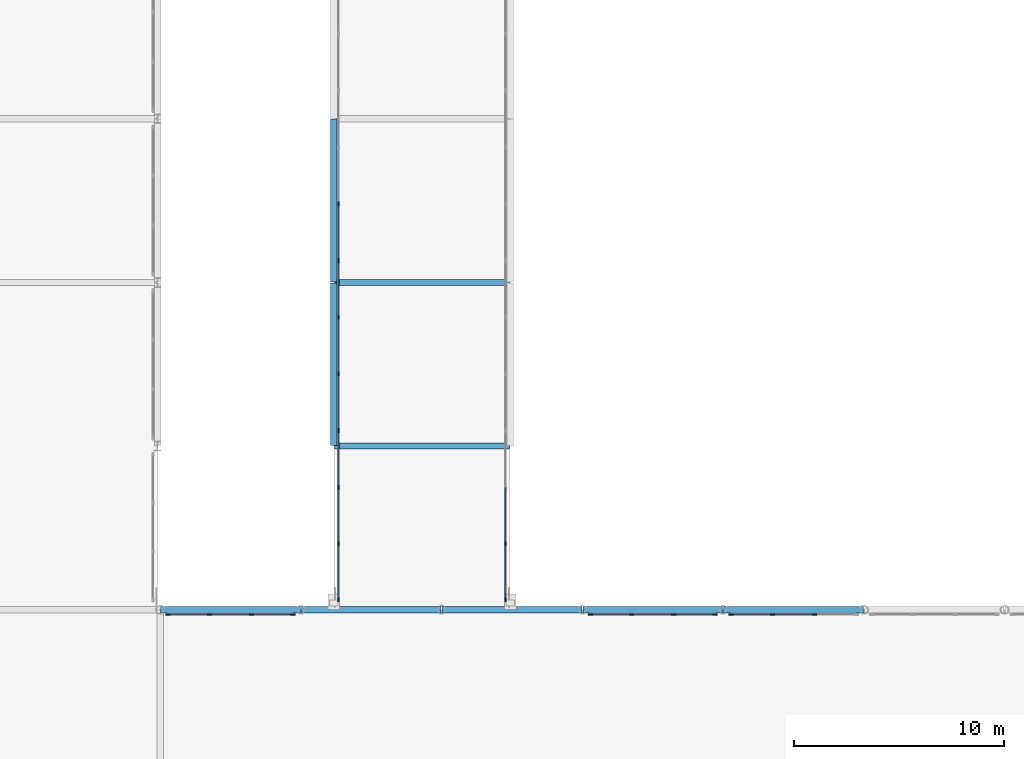
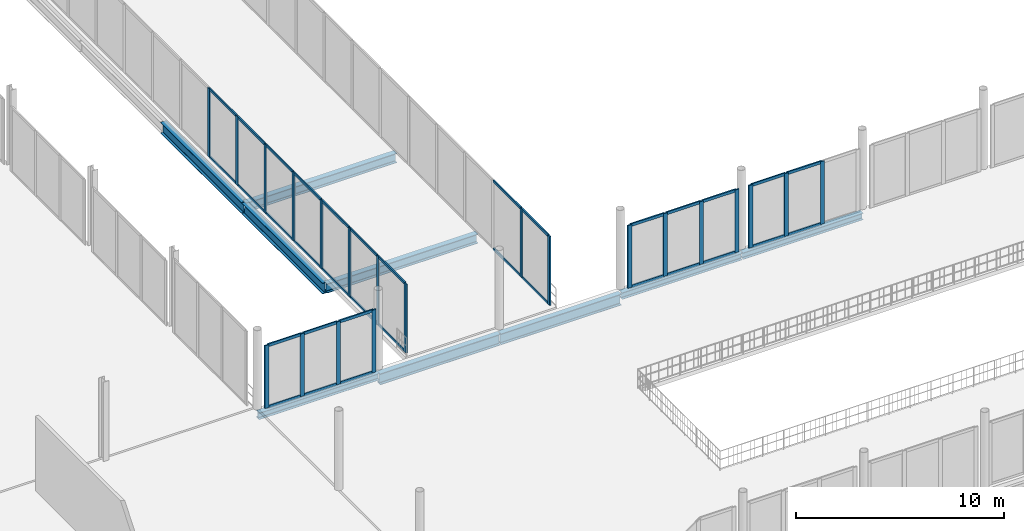
# One storey, part 30 of 98: 55 members, 9 beams, 5 elements without a shape of their own.
"""IFC4 building model written with IfcOpenShell, lengths in metres."""

from ifc_helpers import new_model, si_unit, direction, frame, origin, origin_2d, place, context, subcontext, project, spatial, rectangle, i_section, extrude, material, material_profile, profile_set, type_object, element, aggregate, save


model = new_model("IFC4")

# Units and contexts
model_context = context("Model", 3, precision=1e-05, world=origin(), true_north=direction((0.0, 1.0)))
body_context = subcontext(model_context, "Body", "Model", "MODEL_VIEW")
ifc_project = project(units=[si_unit("LENGTHUNIT", "METRE"), si_unit("AREAUNIT", "SQUARE_METRE"), si_unit("VOLUMEUNIT", "CUBIC_METRE"), si_unit("PLANEANGLEUNIT", "RADIAN"), si_unit("MASSUNIT", "GRAM", prefix="KILO")], contexts=[model_context])

# Site, building, storey
site_placement = place(None, origin())
site = spatial("IfcSite", under=ifc_project, at=site_placement, CompositionType="ELEMENT")
building_placement = place(site_placement, origin())
building = spatial("IfcBuilding", under=site, at=building_placement, Name="Nabrawat Pavilion Hospital", CompositionType="ELEMENT")
storey_placement = place(building_placement, frame((0.0, 0.0, 10.199951171875)))
storey = spatial("IfcBuildingStorey", under=building, at=storey_placement, Name="L02", CompositionType="ELEMENT", Elevation=10.199951171875)

# Beams
ifc_material_1 = material(Name="Steel S355", Category="steel")
ifc_material_profile_1 = material_profile(ifc_material_1, i_section(OverallWidth=0.300048828125, OverallDepth=0.64990234375, WebThickness=0.01611328125, FlangeThickness=0.031005859375, FilletRadius=0.027099609375, at=origin_2d()), Name="HEB 650")
ifc_profile_set_1 = profile_set([ifc_material_profile_1], Name="Steel S355")
beam_type_1 = type_object("IfcBeamType", Name="Courtyard Link Bridge Edge Girder HEB 650", PredefinedType="USERDEFINED", material=ifc_profile_set_1)
for number, where, z_axis, x_axis, name in (
    (1, (65.64794921875, 39.0, -0.614990234375), (1.0, 0.0, 0.0), (0.0, 1.0, 0.0), "L02 Courtyard Link Bridge Girder 997"),
    (2, (72.35595703125, 39.0, -0.614990234375), (1.0, 0.0, 0.0), (0.0, 1.0, 0.0), "L02 Courtyard Link Bridge Girder 998"),
):
    element("IfcBeam", number, at=place(storey_placement, frame(where, z_axis=z_axis, x_axis=x_axis)), inside=storey, type_object=beam_type_1, Name=name, ObjectType="GIRDER", PredefinedType="USERDEFINED", context=body_context, shape_type="SweptSolid", body=[
        extrude(i_section(OverallWidth=0.300048828125, OverallDepth=0.64990234375, WebThickness=0.01611328125, FlangeThickness=0.031005859375, FilletRadius=0.027099609375, at=origin_2d()), origin(), (0.0, 0.0, 1.0), 6.66796875),
    ])
beam_1_placement = place(storey_placement, frame((67.199951171875, 46.820068359375, -0.614990234375), z_axis=(0.0, 1.0, 0.0), x_axis=(-1.0, 0.0, 0.0)))
element("IfcBeam", 3, at=beam_1_placement, inside=storey, type_object=beam_type_1, Name="L02 Courtyard Link Bridge Edge Girder 1238", ObjectType="GIRDER", PredefinedType="USERDEFINED", context=body_context, shape_type="SweptSolid", body=[
    extrude(i_section(OverallWidth=0.300048828125, OverallDepth=0.64990234375, WebThickness=0.01611328125, FlangeThickness=0.031005859375, FilletRadius=0.027099609375, at=origin_2d()), origin(), (0.0, 0.0, 1.0), 7.760009765625),
])
beam_2_placement = place(storey_placement, frame((67.199951171875, 54.6201171875, -0.614990234375), z_axis=(0.0, 1.0, 0.0), x_axis=(-1.0, 0.0, 0.0)))
element("IfcBeam", 4, at=beam_2_placement, inside=storey, type_object=beam_type_1, Name="L02 Courtyard Link Bridge Edge Girder 1239", ObjectType="GIRDER", PredefinedType="USERDEFINED", context=body_context, shape_type="SweptSolid", body=[
    extrude(i_section(OverallWidth=0.300048828125, OverallDepth=0.64990234375, WebThickness=0.01611328125, FlangeThickness=0.031005859375, FilletRadius=0.027099609375, at=origin_2d()), origin(), (0.0, 0.0, 1.0), 7.759765625),
])

# Curtain wall, members
ifc_material_2 = material(Name="Anodised Aluminium", Category="aluminium")
curtain_wall_type_1 = type_object("IfcCurtainWallType", Name="Courtyard Link Bridge Glazed Curtain Wall", PredefinedType="USERDEFINED", material=ifc_material_2)
curtain_wall_1_placement = place(storey_placement, origin())
curtain_wall_1 = element("IfcCurtainWall", 5, at=curtain_wall_1_placement, inside=storey, type_object=curtain_wall_type_1, Name="L02 Courtyard Link Bridge Glazed Curtain Wall 117", ObjectType="CURTAIN WALL", PredefinedType="USERDEFINED")
ifc_material_profile_2 = material_profile(ifc_material_2, rectangle(XDim=0.070068359375, YDim=0.199951171875, at=origin_2d()), Name="CWM 70x200")
ifc_profile_set_2 = profile_set([ifc_material_profile_2], Name="Anodised Aluminium")
member_type_1 = type_object("IfcMemberType", Name="Courtyard Link Bridge Glazed Curtain Wall Mullion CWM 70x200", PredefinedType="MULLION", material=ifc_profile_set_2)
member_1_placement = place(storey_placement, frame((67.419921875, 39.47509765625, 0.0), z_axis=(0.0, 0.0, 1.0), x_axis=(-1.0, 0.0, 0.0)))
member_1 = element("IfcMember", 6, at=member_1_placement, type_object=member_type_1, Name="CW-BRG-01 mullion 1", PredefinedType="MULLION", context=body_context, shape_type="SweptSolid", body=[
    extrude(rectangle(XDim=0.070068359375, YDim=0.199951171875, at=origin_2d()), origin(), (0.0, 0.0, 1.0), 4.0400390625),
])
member_2_placement = place(storey_placement, frame((67.419921875, 42.14111328125, 0.0), z_axis=(0.0, 0.0, 1.0), x_axis=(-1.0, 0.0, 0.0)))
member_2 = element("IfcMember", 7, at=member_2_placement, type_object=member_type_1, Name="CW-BRG-01 mullion 2", PredefinedType="MULLION", context=body_context, shape_type="SweptSolid", body=[
    extrude(rectangle(XDim=0.070068359375, YDim=0.199951171875, at=origin_2d()), origin(), (0.0, 0.0, 1.0), 4.0400390625),
])
member_3_placement = place(storey_placement, frame((67.419921875, 44.84228515625, 0.0), z_axis=(0.0, 0.0, 1.0), x_axis=(-1.0, 0.0, 0.0)))
member_3 = element("IfcMember", 8, at=member_3_placement, type_object=member_type_1, Name="CW-BRG-01 mullion 3", PredefinedType="MULLION", context=body_context, shape_type="SweptSolid", body=[
    extrude(rectangle(XDim=0.070068359375, YDim=0.199951171875, at=origin_2d()), origin(), (0.0, 0.0, 1.0), 4.0400390625),
])
member_4_placement = place(storey_placement, frame((67.419921875, 47.54345703125, 0.0), z_axis=(0.0, 0.0, 1.0), x_axis=(-1.0, 0.0, 0.0)))
member_4 = element("IfcMember", 9, at=member_4_placement, type_object=member_type_1, Name="CW-BRG-01 mullion 4", PredefinedType="MULLION", context=body_context, shape_type="SweptSolid", body=[
    extrude(rectangle(XDim=0.070068359375, YDim=0.199951171875, at=origin_2d()), origin(), (0.0, 0.0, 1.0), 4.0400390625),
])
member_5_placement = place(storey_placement, frame((67.419921875, 50.24462890625, 0.0), z_axis=(0.0, 0.0, 1.0), x_axis=(-1.0, 0.0, 0.0)))
member_5 = element("IfcMember", 10, at=member_5_placement, type_object=member_type_1, Name="CW-BRG-01 mullion 5", PredefinedType="MULLION", context=body_context, shape_type="SweptSolid", body=[
    extrude(rectangle(XDim=0.070068359375, YDim=0.199951171875, at=origin_2d()), origin(), (0.0, 0.0, 1.0), 4.0400390625),
])
member_6_placement = place(storey_placement, frame((67.419921875, 52.94580078125, 0.0), z_axis=(0.0, 0.0, 1.0), x_axis=(-1.0, 0.0, 0.0)))
member_6 = element("IfcMember", 11, at=member_6_placement, type_object=member_type_1, Name="CW-BRG-01 mullion 6", PredefinedType="MULLION", context=body_context, shape_type="SweptSolid", body=[
    extrude(rectangle(XDim=0.070068359375, YDim=0.199951171875, at=origin_2d()), origin(), (0.0, 0.0, 1.0), 4.0400390625),
])
member_7_placement = place(storey_placement, frame((67.419921875, 55.64697265625, 0.0), z_axis=(0.0, 0.0, 1.0), x_axis=(-1.0, 0.0, 0.0)))
member_7 = element("IfcMember", 12, at=member_7_placement, type_object=member_type_1, Name="CW-BRG-01 mullion 7", PredefinedType="MULLION", context=body_context, shape_type="SweptSolid", body=[
    extrude(rectangle(XDim=0.070068359375, YDim=0.199951171875, at=origin_2d()), origin(), (0.0, 0.0, 1.0), 4.0400390625),
])
member_8_placement = place(storey_placement, frame((67.419921875, 58.34814453125, 0.0), z_axis=(0.0, 0.0, 1.0), x_axis=(-1.0, 0.0, 0.0)))
member_8 = element("IfcMember", 13, at=member_8_placement, type_object=member_type_1, Name="CW-BRG-01 mullion 8", PredefinedType="MULLION", context=body_context, shape_type="SweptSolid", body=[
    extrude(rectangle(XDim=0.070068359375, YDim=0.199951171875, at=origin_2d()), origin(), (0.0, 0.0, 1.0), 4.0400390625),
])

curtain_wall_2_placement = place(storey_placement, origin())
curtain_wall_2 = element("IfcCurtainWall", 14, at=curtain_wall_2_placement, inside=storey, type_object=curtain_wall_type_1, Name="L02 Courtyard Link Bridge Glazed Curtain Wall 118", ObjectType="CURTAIN WALL", PredefinedType="USERDEFINED")
member_9_placement = place(storey_placement, frame((75.3798828125, 39.47509765625, 0.0), z_axis=(0.0, 0.0, 1.0), x_axis=(-1.0, 0.0, 0.0)))
member_9 = element("IfcMember", 15, at=member_9_placement, type_object=member_type_1, Name="CW-BRG-01 mullion 1", PredefinedType="MULLION", context=body_context, shape_type="SweptSolid", body=[
    extrude(rectangle(XDim=0.070068359375, YDim=0.199951171875, at=origin_2d()), origin(), (0.0, 0.0, 1.0), 4.0400390625),
])
member_10_placement = place(storey_placement, frame((75.3798828125, 42.14111328125, 0.0), z_axis=(0.0, 0.0, 1.0), x_axis=(-1.0, 0.0, 0.0)))
member_10 = element("IfcMember", 16, at=member_10_placement, type_object=member_type_1, Name="CW-BRG-01 mullion 2", PredefinedType="MULLION", context=body_context, shape_type="SweptSolid", body=[
    extrude(rectangle(XDim=0.070068359375, YDim=0.199951171875, at=origin_2d()), origin(), (0.0, 0.0, 1.0), 4.0400390625),
])

# Member
ifc_material_profile_3 = material_profile(ifc_material_2, rectangle(XDim=0.070068359375, YDim=0.14990234375, at=origin_2d()), Name="CWT 70x150")
ifc_profile_set_3 = profile_set([ifc_material_profile_3], Name="Anodised Aluminium")
member_type_2 = type_object("IfcMemberType", Name="Courtyard Link Bridge Glazed Curtain Wall Transom CWT 70x150", PredefinedType="USERDEFINED", material=ifc_profile_set_3)
member_11_placement = place(storey_placement, frame((67.419921875, 39.510009765625, 0.03515625), z_axis=(0.0, 1.0, 0.0), x_axis=(-1.0, 0.0, 0.0)))
member_11 = element("IfcMember", 17, at=member_11_placement, type_object=member_type_2, Name="CW-BRG-01 transom 1.1", ObjectType="TRANSOM", PredefinedType="USERDEFINED", context=body_context, shape_type="SweptSolid", body=[
    extrude(rectangle(XDim=0.070068359375, YDim=0.14990234375, at=origin_2d()), origin(), (0.0, 0.0, 1.0), 2.59619140625),
])

member_12_placement = place(storey_placement, frame((67.419921875, 39.510009765625, 4.005126953125), z_axis=(0.0, 1.0, 0.0), x_axis=(-1.0, 0.0, 0.0)))
member_12 = element("IfcMember", 18, at=member_12_placement, type_object=member_type_2, Name="CW-BRG-01 transom 1.2", ObjectType="TRANSOM", PredefinedType="USERDEFINED", context=body_context, shape_type="SweptSolid", body=[
    extrude(rectangle(XDim=0.070068359375, YDim=0.14990234375, at=origin_2d()), origin(), (0.0, 0.0, 1.0), 2.59619140625),
])

member_13_placement = place(storey_placement, frame((67.419921875, 42.17626953125, 0.03515625), z_axis=(0.0, 1.0, 0.0), x_axis=(-1.0, 0.0, 0.0)))
member_13 = element("IfcMember", 19, at=member_13_placement, type_object=member_type_2, Name="CW-BRG-01 transom 2.1", ObjectType="TRANSOM", PredefinedType="USERDEFINED", context=body_context, shape_type="SweptSolid", body=[
    extrude(rectangle(XDim=0.070068359375, YDim=0.14990234375, at=origin_2d()), origin(), (0.0, 0.0, 1.0), 2.631103515625),
])

member_14_placement = place(storey_placement, frame((67.419921875, 42.17626953125, 4.005126953125), z_axis=(0.0, 1.0, 0.0), x_axis=(-1.0, 0.0, 0.0)))
member_14 = element("IfcMember", 20, at=member_14_placement, type_object=member_type_2, Name="CW-BRG-01 transom 2.2", ObjectType="TRANSOM", PredefinedType="USERDEFINED", context=body_context, shape_type="SweptSolid", body=[
    extrude(rectangle(XDim=0.070068359375, YDim=0.14990234375, at=origin_2d()), origin(), (0.0, 0.0, 1.0), 2.631103515625),
])

member_15_placement = place(storey_placement, frame((67.419921875, 44.87744140625, 0.03515625), z_axis=(0.0, 1.0, 0.0), x_axis=(-1.0, 0.0, 0.0)))
member_15 = element("IfcMember", 21, at=member_15_placement, type_object=member_type_2, Name="CW-BRG-01 transom 3.1", ObjectType="TRANSOM", PredefinedType="USERDEFINED", context=body_context, shape_type="SweptSolid", body=[
    extrude(rectangle(XDim=0.070068359375, YDim=0.14990234375, at=origin_2d()), origin(), (0.0, 0.0, 1.0), 2.631103515625),
])

member_16_placement = place(storey_placement, frame((67.419921875, 44.87744140625, 4.005126953125), z_axis=(0.0, 1.0, 0.0), x_axis=(-1.0, 0.0, 0.0)))
member_16 = element("IfcMember", 22, at=member_16_placement, type_object=member_type_2, Name="CW-BRG-01 transom 3.2", ObjectType="TRANSOM", PredefinedType="USERDEFINED", context=body_context, shape_type="SweptSolid", body=[
    extrude(rectangle(XDim=0.070068359375, YDim=0.14990234375, at=origin_2d()), origin(), (0.0, 0.0, 1.0), 2.631103515625),
])

member_17_placement = place(storey_placement, frame((67.419921875, 47.57861328125, 0.03515625), z_axis=(0.0, 1.0, 0.0), x_axis=(-1.0, 0.0, 0.0)))
member_17 = element("IfcMember", 23, at=member_17_placement, type_object=member_type_2, Name="CW-BRG-01 transom 4.1", ObjectType="TRANSOM", PredefinedType="USERDEFINED", context=body_context, shape_type="SweptSolid", body=[
    extrude(rectangle(XDim=0.070068359375, YDim=0.14990234375, at=origin_2d()), origin(), (0.0, 0.0, 1.0), 2.631103515625),
])

member_18_placement = place(storey_placement, frame((67.419921875, 47.57861328125, 4.005126953125), z_axis=(0.0, 1.0, 0.0), x_axis=(-1.0, 0.0, 0.0)))
member_18 = element("IfcMember", 24, at=member_18_placement, type_object=member_type_2, Name="CW-BRG-01 transom 4.2", ObjectType="TRANSOM", PredefinedType="USERDEFINED", context=body_context, shape_type="SweptSolid", body=[
    extrude(rectangle(XDim=0.070068359375, YDim=0.14990234375, at=origin_2d()), origin(), (0.0, 0.0, 1.0), 2.631103515625),
])

member_19_placement = place(storey_placement, frame((67.419921875, 50.27978515625, 0.03515625), z_axis=(0.0, 1.0, 0.0), x_axis=(-1.0, 0.0, 0.0)))
member_19 = element("IfcMember", 25, at=member_19_placement, type_object=member_type_2, Name="CW-BRG-01 transom 5.1", ObjectType="TRANSOM", PredefinedType="USERDEFINED", context=body_context, shape_type="SweptSolid", body=[
    extrude(rectangle(XDim=0.070068359375, YDim=0.14990234375, at=origin_2d()), origin(), (0.0, 0.0, 1.0), 2.631103515625),
])

member_20_placement = place(storey_placement, frame((67.419921875, 50.27978515625, 4.005126953125), z_axis=(0.0, 1.0, 0.0), x_axis=(-1.0, 0.0, 0.0)))
member_20 = element("IfcMember", 26, at=member_20_placement, type_object=member_type_2, Name="CW-BRG-01 transom 5.2", ObjectType="TRANSOM", PredefinedType="USERDEFINED", context=body_context, shape_type="SweptSolid", body=[
    extrude(rectangle(XDim=0.070068359375, YDim=0.14990234375, at=origin_2d()), origin(), (0.0, 0.0, 1.0), 2.631103515625),
])

member_21_placement = place(storey_placement, frame((67.419921875, 52.98095703125, 0.03515625), z_axis=(0.0, 1.0, 0.0), x_axis=(-1.0, 0.0, 0.0)))
member_21 = element("IfcMember", 27, at=member_21_placement, type_object=member_type_2, Name="CW-BRG-01 transom 6.1", ObjectType="TRANSOM", PredefinedType="USERDEFINED", context=body_context, shape_type="SweptSolid", body=[
    extrude(rectangle(XDim=0.070068359375, YDim=0.14990234375, at=origin_2d()), origin(), (0.0, 0.0, 1.0), 2.631103515625),
])

member_22_placement = place(storey_placement, frame((67.419921875, 52.98095703125, 4.005126953125), z_axis=(0.0, 1.0, 0.0), x_axis=(-1.0, 0.0, 0.0)))
member_22 = element("IfcMember", 28, at=member_22_placement, type_object=member_type_2, Name="CW-BRG-01 transom 6.2", ObjectType="TRANSOM", PredefinedType="USERDEFINED", context=body_context, shape_type="SweptSolid", body=[
    extrude(rectangle(XDim=0.070068359375, YDim=0.14990234375, at=origin_2d()), origin(), (0.0, 0.0, 1.0), 2.631103515625),
])

member_23_placement = place(storey_placement, frame((67.419921875, 55.68212890625, 0.03515625), z_axis=(0.0, 1.0, 0.0), x_axis=(-1.0, 0.0, 0.0)))
member_23 = element("IfcMember", 29, at=member_23_placement, type_object=member_type_2, Name="CW-BRG-01 transom 7.1", ObjectType="TRANSOM", PredefinedType="USERDEFINED", context=body_context, shape_type="SweptSolid", body=[
    extrude(rectangle(XDim=0.070068359375, YDim=0.14990234375, at=origin_2d()), origin(), (0.0, 0.0, 1.0), 2.631103515625),
])

member_24_placement = place(storey_placement, frame((67.419921875, 55.68212890625, 4.005126953125), z_axis=(0.0, 1.0, 0.0), x_axis=(-1.0, 0.0, 0.0)))
member_24 = element("IfcMember", 30, at=member_24_placement, type_object=member_type_2, Name="CW-BRG-01 transom 7.2", ObjectType="TRANSOM", PredefinedType="USERDEFINED", context=body_context, shape_type="SweptSolid", body=[
    extrude(rectangle(XDim=0.070068359375, YDim=0.14990234375, at=origin_2d()), origin(), (0.0, 0.0, 1.0), 2.631103515625),
])

aggregate(curtain_wall_1, [member_1, member_2, member_3, member_4, member_5, member_6, member_7, member_8, member_11, member_12, member_13, member_14, member_15, member_16, member_17, member_18, member_19, member_20, member_21, member_22, member_23, member_24])

member_25_placement = place(storey_placement, frame((75.3798828125, 39.510009765625, 0.03515625), z_axis=(0.0, 1.0, 0.0), x_axis=(-1.0, 0.0, 0.0)))
member_25 = element("IfcMember", 31, at=member_25_placement, type_object=member_type_2, Name="CW-BRG-01 transom 1.1", ObjectType="TRANSOM", PredefinedType="USERDEFINED", context=body_context, shape_type="SweptSolid", body=[
    extrude(rectangle(XDim=0.070068359375, YDim=0.14990234375, at=origin_2d()), origin(), (0.0, 0.0, 1.0), 2.59619140625),
])

member_26_placement = place(storey_placement, frame((75.3798828125, 39.510009765625, 4.005126953125), z_axis=(0.0, 1.0, 0.0), x_axis=(-1.0, 0.0, 0.0)))
member_26 = element("IfcMember", 32, at=member_26_placement, type_object=member_type_2, Name="CW-BRG-01 transom 1.2", ObjectType="TRANSOM", PredefinedType="USERDEFINED", context=body_context, shape_type="SweptSolid", body=[
    extrude(rectangle(XDim=0.070068359375, YDim=0.14990234375, at=origin_2d()), origin(), (0.0, 0.0, 1.0), 2.59619140625),
])

member_27_placement = place(storey_placement, frame((75.3798828125, 42.17626953125, 0.03515625), z_axis=(0.0, 1.0, 0.0), x_axis=(-1.0, 0.0, 0.0)))
member_27 = element("IfcMember", 33, at=member_27_placement, type_object=member_type_2, Name="CW-BRG-01 transom 2.1", ObjectType="TRANSOM", PredefinedType="USERDEFINED", context=body_context, shape_type="SweptSolid", body=[
    extrude(rectangle(XDim=0.070068359375, YDim=0.14990234375, at=origin_2d()), origin(), (0.0, 0.0, 1.0), 2.631103515625),
])

member_28_placement = place(storey_placement, frame((75.3798828125, 42.17626953125, 4.005126953125), z_axis=(0.0, 1.0, 0.0), x_axis=(-1.0, 0.0, 0.0)))
member_28 = element("IfcMember", 34, at=member_28_placement, type_object=member_type_2, Name="CW-BRG-01 transom 2.2", ObjectType="TRANSOM", PredefinedType="USERDEFINED", context=body_context, shape_type="SweptSolid", body=[
    extrude(rectangle(XDim=0.070068359375, YDim=0.14990234375, at=origin_2d()), origin(), (0.0, 0.0, 1.0), 2.631103515625),
])

aggregate(curtain_wall_2, [member_9, member_10, member_25, member_26, member_27, member_28])

# Curtain wall, members
curtain_wall_type_2 = type_object("IfcCurtainWallType", Name="Main Hall Pavilion Unitised Curtain Wall", PredefinedType="USERDEFINED", material=ifc_material_2)
curtain_wall_3_placement = place(storey_placement, origin())
curtain_wall_3 = element("IfcCurtainWall", 35, at=curtain_wall_3_placement, inside=storey, type_object=curtain_wall_type_2, Name="L02 Main Hall Pavilion Unitised Curtain Wall 114", ObjectType="CURTAIN WALL", PredefinedType="USERDEFINED")
ifc_material_profile_4 = material_profile(ifc_material_2, rectangle(XDim=0.074951171875, YDim=0.219970703125, at=origin_2d()), Name="CWM 75x220")
ifc_profile_set_4 = profile_set([ifc_material_profile_4], Name="Anodised Aluminium")
member_type_3 = type_object("IfcMemberType", Name="Main Hall Pavilion Unitised Curtain Wall Mullion CWM 75x220", PredefinedType="MULLION", material=ifc_profile_set_4)
member_29_placement = place(storey_placement, frame((59.30078125, 38.780029296875, 0.0), z_axis=(0.0, 0.0, 1.0), x_axis=(0.0, 1.0, 0.0)))
member_29 = element("IfcMember", 36, at=member_29_placement, type_object=member_type_3, Name="CW-MH-01 mullion 1", PredefinedType="MULLION", context=body_context, shape_type="SweptSolid", body=[
    extrude(rectangle(XDim=0.074951171875, YDim=0.219970703125, at=origin_2d()), origin(), (0.0, 0.0, 1.0), 3.679931640625),
])
member_30_placement = place(storey_placement, frame((61.2705078125, 38.780029296875, 0.0), z_axis=(0.0, 0.0, 1.0), x_axis=(0.0, 1.0, 0.0)))
member_30 = element("IfcMember", 37, at=member_30_placement, type_object=member_type_3, Name="CW-MH-01 mullion 2", PredefinedType="MULLION", context=body_context, shape_type="SweptSolid", body=[
    extrude(rectangle(XDim=0.074951171875, YDim=0.219970703125, at=origin_2d()), origin(), (0.0, 0.0, 1.0), 3.679931640625),
])
member_31_placement = place(storey_placement, frame((63.277587890625, 38.780029296875, 0.0), z_axis=(0.0, 0.0, 1.0), x_axis=(0.0, 1.0, 0.0)))
member_31 = element("IfcMember", 38, at=member_31_placement, type_object=member_type_3, Name="CW-MH-01 mullion 3", PredefinedType="MULLION", context=body_context, shape_type="SweptSolid", body=[
    extrude(rectangle(XDim=0.074951171875, YDim=0.219970703125, at=origin_2d()), origin(), (0.0, 0.0, 1.0), 3.679931640625),
])
member_32_placement = place(storey_placement, frame((65.247314453125, 38.780029296875, 0.0), z_axis=(0.0, 0.0, 1.0), x_axis=(0.0, 1.0, 0.0)))
member_32 = element("IfcMember", 39, at=member_32_placement, type_object=member_type_3, Name="CW-MH-01 mullion 4", PredefinedType="MULLION", context=body_context, shape_type="SweptSolid", body=[
    extrude(rectangle(XDim=0.074951171875, YDim=0.219970703125, at=origin_2d()), origin(), (0.0, 0.0, 1.0), 3.679931640625),
])

curtain_wall_4_placement = place(storey_placement, origin())
curtain_wall_4 = element("IfcCurtainWall", 40, at=curtain_wall_4_placement, inside=storey, type_object=curtain_wall_type_2, Name="L02 Main Hall Pavilion Unitised Curtain Wall 119", ObjectType="CURTAIN WALL", PredefinedType="USERDEFINED")
member_33_placement = place(storey_placement, frame((79.4248046875, 38.780029296875, 0.0), z_axis=(0.0, 0.0, 1.0), x_axis=(0.0, 1.0, 0.0)))
member_33 = element("IfcMember", 41, at=member_33_placement, type_object=member_type_3, Name="CW-MH-01 mullion 1", PredefinedType="MULLION", context=body_context, shape_type="SweptSolid", body=[
    extrude(rectangle(XDim=0.074951171875, YDim=0.219970703125, at=origin_2d()), origin(), (0.0, 0.0, 1.0), 3.679931640625),
])
member_34_placement = place(storey_placement, frame((81.394287109375, 38.780029296875, 0.0), z_axis=(0.0, 0.0, 1.0), x_axis=(0.0, 1.0, 0.0)))
member_34 = element("IfcMember", 42, at=member_34_placement, type_object=member_type_3, Name="CW-MH-01 mullion 2", PredefinedType="MULLION", context=body_context, shape_type="SweptSolid", body=[
    extrude(rectangle(XDim=0.074951171875, YDim=0.219970703125, at=origin_2d()), origin(), (0.0, 0.0, 1.0), 3.679931640625),
])
member_35_placement = place(storey_placement, frame((83.401611328125, 38.780029296875, 0.0), z_axis=(0.0, 0.0, 1.0), x_axis=(0.0, 1.0, 0.0)))
member_35 = element("IfcMember", 43, at=member_35_placement, type_object=member_type_3, Name="CW-MH-01 mullion 3", PredefinedType="MULLION", context=body_context, shape_type="SweptSolid", body=[
    extrude(rectangle(XDim=0.074951171875, YDim=0.219970703125, at=origin_2d()), origin(), (0.0, 0.0, 1.0), 3.679931640625),
])
member_36_placement = place(storey_placement, frame((85.371337890625, 38.780029296875, 0.0), z_axis=(0.0, 0.0, 1.0), x_axis=(0.0, 1.0, 0.0)))
member_36 = element("IfcMember", 44, at=member_36_placement, type_object=member_type_3, Name="CW-MH-01 mullion 4", PredefinedType="MULLION", context=body_context, shape_type="SweptSolid", body=[
    extrude(rectangle(XDim=0.074951171875, YDim=0.219970703125, at=origin_2d()), origin(), (0.0, 0.0, 1.0), 3.679931640625),
])

curtain_wall_5_placement = place(storey_placement, origin())
curtain_wall_5 = element("IfcCurtainWall", 45, at=curtain_wall_5_placement, inside=storey, type_object=curtain_wall_type_2, Name="L02 Main Hall Pavilion Unitised Curtain Wall 120", ObjectType="CURTAIN WALL", PredefinedType="USERDEFINED")
member_37_placement = place(storey_placement, frame((86.1328125, 38.780029296875, 0.0), z_axis=(0.0, 0.0, 1.0), x_axis=(0.0, 1.0, 0.0)))
member_37 = element("IfcMember", 46, at=member_37_placement, type_object=member_type_3, Name="CW-MH-01 mullion 1", PredefinedType="MULLION", context=body_context, shape_type="SweptSolid", body=[
    extrude(rectangle(XDim=0.074951171875, YDim=0.219970703125, at=origin_2d()), origin(), (0.0, 0.0, 1.0), 3.679931640625),
])
member_38_placement = place(storey_placement, frame((88.102294921875, 38.780029296875, 0.0), z_axis=(0.0, 0.0, 1.0), x_axis=(0.0, 1.0, 0.0)))
member_38 = element("IfcMember", 47, at=member_38_placement, type_object=member_type_3, Name="CW-MH-01 mullion 2", PredefinedType="MULLION", context=body_context, shape_type="SweptSolid", body=[
    extrude(rectangle(XDim=0.074951171875, YDim=0.219970703125, at=origin_2d()), origin(), (0.0, 0.0, 1.0), 3.679931640625),
])
member_39_placement = place(storey_placement, frame((90.109619140625, 38.780029296875, 0.0), z_axis=(0.0, 0.0, 1.0), x_axis=(0.0, 1.0, 0.0)))
member_39 = element("IfcMember", 48, at=member_39_placement, type_object=member_type_3, Name="CW-MH-01 mullion 3", PredefinedType="MULLION", context=body_context, shape_type="SweptSolid", body=[
    extrude(rectangle(XDim=0.074951171875, YDim=0.219970703125, at=origin_2d()), origin(), (0.0, 0.0, 1.0), 3.679931640625),
])

# Member
ifc_material_profile_5 = material_profile(ifc_material_2, rectangle(XDim=0.074951171875, YDim=0.1650390625, at=origin_2d()), Name="CWT 75x165")
ifc_profile_set_5 = profile_set([ifc_material_profile_5], Name="Anodised Aluminium")
member_type_4 = type_object("IfcMemberType", Name="Main Hall Pavilion Unitised Curtain Wall Transom CWT 75x165", PredefinedType="USERDEFINED", material=ifc_profile_set_5)
member_40_placement = place(storey_placement, frame((59.338134765625, 38.780029296875, 0.03759765625), z_axis=(1.0, 0.0, 0.0), x_axis=(0.0, 1.0, 0.0)))
member_40 = element("IfcMember", 49, at=member_40_placement, type_object=member_type_4, Name="CW-MH-01 transom 1.1", ObjectType="TRANSOM", PredefinedType="USERDEFINED", context=body_context, shape_type="SweptSolid", body=[
    extrude(rectangle(XDim=0.074951171875, YDim=0.1650390625, at=origin_2d()), origin(), (0.0, 0.0, 1.0), 1.894775390625),
])

member_41_placement = place(storey_placement, frame((59.338134765625, 38.780029296875, 3.642578125), z_axis=(1.0, 0.0, 0.0), x_axis=(0.0, 1.0, 0.0)))
member_41 = element("IfcMember", 50, at=member_41_placement, type_object=member_type_4, Name="CW-MH-01 transom 1.2", ObjectType="TRANSOM", PredefinedType="USERDEFINED", context=body_context, shape_type="SweptSolid", body=[
    extrude(rectangle(XDim=0.074951171875, YDim=0.1650390625, at=origin_2d()), origin(), (0.0, 0.0, 1.0), 1.894775390625),
])

member_42_placement = place(storey_placement, frame((61.307861328125, 38.780029296875, 0.03759765625), z_axis=(1.0, 0.0, 0.0), x_axis=(0.0, 1.0, 0.0)))
member_42 = element("IfcMember", 51, at=member_42_placement, type_object=member_type_4, Name="CW-MH-01 transom 2.1", ObjectType="TRANSOM", PredefinedType="USERDEFINED", context=body_context, shape_type="SweptSolid", body=[
    extrude(rectangle(XDim=0.074951171875, YDim=0.1650390625, at=origin_2d()), origin(), (0.0, 0.0, 1.0), 1.93212890625),
])

member_43_placement = place(storey_placement, frame((61.307861328125, 38.780029296875, 3.642578125), z_axis=(1.0, 0.0, 0.0), x_axis=(0.0, 1.0, 0.0)))
member_43 = element("IfcMember", 52, at=member_43_placement, type_object=member_type_4, Name="CW-MH-01 transom 2.2", ObjectType="TRANSOM", PredefinedType="USERDEFINED", context=body_context, shape_type="SweptSolid", body=[
    extrude(rectangle(XDim=0.074951171875, YDim=0.1650390625, at=origin_2d()), origin(), (0.0, 0.0, 1.0), 1.93212890625),
])

member_44_placement = place(storey_placement, frame((63.315185546875, 38.780029296875, 0.03759765625), z_axis=(1.0, 0.0, 0.0), x_axis=(0.0, 1.0, 0.0)))
member_44 = element("IfcMember", 53, at=member_44_placement, type_object=member_type_4, Name="CW-MH-01 transom 3.1", ObjectType="TRANSOM", PredefinedType="USERDEFINED", context=body_context, shape_type="SweptSolid", body=[
    extrude(rectangle(XDim=0.074951171875, YDim=0.1650390625, at=origin_2d()), origin(), (0.0, 0.0, 1.0), 1.89453125),
])

member_45_placement = place(storey_placement, frame((63.315185546875, 38.780029296875, 3.642578125), z_axis=(1.0, 0.0, 0.0), x_axis=(0.0, 1.0, 0.0)))
member_45 = element("IfcMember", 54, at=member_45_placement, type_object=member_type_4, Name="CW-MH-01 transom 3.2", ObjectType="TRANSOM", PredefinedType="USERDEFINED", context=body_context, shape_type="SweptSolid", body=[
    extrude(rectangle(XDim=0.074951171875, YDim=0.1650390625, at=origin_2d()), origin(), (0.0, 0.0, 1.0), 1.89453125),
])

aggregate(curtain_wall_3, [member_29, member_30, member_31, member_32, member_40, member_41, member_42, member_43, member_44, member_45])

member_46_placement = place(storey_placement, frame((79.462158203125, 38.780029296875, 0.03759765625), z_axis=(1.0, 0.0, 0.0), x_axis=(0.0, 1.0, 0.0)))
member_46 = element("IfcMember", 55, at=member_46_placement, type_object=member_type_4, Name="CW-MH-01 transom 1.1", ObjectType="TRANSOM", PredefinedType="USERDEFINED", context=body_context, shape_type="SweptSolid", body=[
    extrude(rectangle(XDim=0.074951171875, YDim=0.1650390625, at=origin_2d()), origin(), (0.0, 0.0, 1.0), 1.894775390625),
])

member_47_placement = place(storey_placement, frame((79.462158203125, 38.780029296875, 3.642578125), z_axis=(1.0, 0.0, 0.0), x_axis=(0.0, 1.0, 0.0)))
member_47 = element("IfcMember", 56, at=member_47_placement, type_object=member_type_4, Name="CW-MH-01 transom 1.2", ObjectType="TRANSOM", PredefinedType="USERDEFINED", context=body_context, shape_type="SweptSolid", body=[
    extrude(rectangle(XDim=0.074951171875, YDim=0.1650390625, at=origin_2d()), origin(), (0.0, 0.0, 1.0), 1.894775390625),
])

member_48_placement = place(storey_placement, frame((81.431884765625, 38.780029296875, 0.03759765625), z_axis=(1.0, 0.0, 0.0), x_axis=(0.0, 1.0, 0.0)))
member_48 = element("IfcMember", 57, at=member_48_placement, type_object=member_type_4, Name="CW-MH-01 transom 2.1", ObjectType="TRANSOM", PredefinedType="USERDEFINED", context=body_context, shape_type="SweptSolid", body=[
    extrude(rectangle(XDim=0.074951171875, YDim=0.1650390625, at=origin_2d()), origin(), (0.0, 0.0, 1.0), 1.93212890625),
])

member_49_placement = place(storey_placement, frame((81.431884765625, 38.780029296875, 3.642578125), z_axis=(1.0, 0.0, 0.0), x_axis=(0.0, 1.0, 0.0)))
member_49 = element("IfcMember", 58, at=member_49_placement, type_object=member_type_4, Name="CW-MH-01 transom 2.2", ObjectType="TRANSOM", PredefinedType="USERDEFINED", context=body_context, shape_type="SweptSolid", body=[
    extrude(rectangle(XDim=0.074951171875, YDim=0.1650390625, at=origin_2d()), origin(), (0.0, 0.0, 1.0), 1.93212890625),
])

member_50_placement = place(storey_placement, frame((83.439208984375, 38.780029296875, 0.03759765625), z_axis=(1.0, 0.0, 0.0), x_axis=(0.0, 1.0, 0.0)))
member_50 = element("IfcMember", 59, at=member_50_placement, type_object=member_type_4, Name="CW-MH-01 transom 3.1", ObjectType="TRANSOM", PredefinedType="USERDEFINED", context=body_context, shape_type="SweptSolid", body=[
    extrude(rectangle(XDim=0.074951171875, YDim=0.1650390625, at=origin_2d()), origin(), (0.0, 0.0, 1.0), 1.89453125),
])

member_51_placement = place(storey_placement, frame((83.439208984375, 38.780029296875, 3.642578125), z_axis=(1.0, 0.0, 0.0), x_axis=(0.0, 1.0, 0.0)))
member_51 = element("IfcMember", 60, at=member_51_placement, type_object=member_type_4, Name="CW-MH-01 transom 3.2", ObjectType="TRANSOM", PredefinedType="USERDEFINED", context=body_context, shape_type="SweptSolid", body=[
    extrude(rectangle(XDim=0.074951171875, YDim=0.1650390625, at=origin_2d()), origin(), (0.0, 0.0, 1.0), 1.89453125),
])

aggregate(curtain_wall_4, [member_33, member_34, member_35, member_36, member_46, member_47, member_48, member_49, member_50, member_51])

member_52_placement = place(storey_placement, frame((86.170166015625, 38.780029296875, 0.03759765625), z_axis=(1.0, 0.0, 0.0), x_axis=(0.0, 1.0, 0.0)))
member_52 = element("IfcMember", 61, at=member_52_placement, type_object=member_type_4, Name="CW-MH-01 transom 1.1", ObjectType="TRANSOM", PredefinedType="USERDEFINED", context=body_context, shape_type="SweptSolid", body=[
    extrude(rectangle(XDim=0.074951171875, YDim=0.1650390625, at=origin_2d()), origin(), (0.0, 0.0, 1.0), 1.894775390625),
])

member_53_placement = place(storey_placement, frame((86.170166015625, 38.780029296875, 3.642578125), z_axis=(1.0, 0.0, 0.0), x_axis=(0.0, 1.0, 0.0)))
member_53 = element("IfcMember", 62, at=member_53_placement, type_object=member_type_4, Name="CW-MH-01 transom 1.2", ObjectType="TRANSOM", PredefinedType="USERDEFINED", context=body_context, shape_type="SweptSolid", body=[
    extrude(rectangle(XDim=0.074951171875, YDim=0.1650390625, at=origin_2d()), origin(), (0.0, 0.0, 1.0), 1.894775390625),
])

member_54_placement = place(storey_placement, frame((88.139892578125, 38.780029296875, 0.03759765625), z_axis=(1.0, 0.0, 0.0), x_axis=(0.0, 1.0, 0.0)))
member_54 = element("IfcMember", 63, at=member_54_placement, type_object=member_type_4, Name="CW-MH-01 transom 2.1", ObjectType="TRANSOM", PredefinedType="USERDEFINED", context=body_context, shape_type="SweptSolid", body=[
    extrude(rectangle(XDim=0.074951171875, YDim=0.1650390625, at=origin_2d()), origin(), (0.0, 0.0, 1.0), 1.93212890625),
])

member_55_placement = place(storey_placement, frame((88.139892578125, 38.780029296875, 3.642578125), z_axis=(1.0, 0.0, 0.0), x_axis=(0.0, 1.0, 0.0)))
member_55 = element("IfcMember", 64, at=member_55_placement, type_object=member_type_4, Name="CW-MH-01 transom 2.2", ObjectType="TRANSOM", PredefinedType="USERDEFINED", context=body_context, shape_type="SweptSolid", body=[
    extrude(rectangle(XDim=0.074951171875, YDim=0.1650390625, at=origin_2d()), origin(), (0.0, 0.0, 1.0), 1.93212890625),
])

aggregate(curtain_wall_5, [member_37, member_38, member_39, member_52, member_53, member_54, member_55])

# Beams
ifc_material_profile_6 = material_profile(ifc_material_1, i_section(OverallWidth=0.300048828125, OverallDepth=0.389892578125, WebThickness=0.010986328125, FlangeThickness=0.01904296875, FilletRadius=0.027099609375, at=origin_2d()), Name="HEA 400")
ifc_profile_set_6 = profile_set([ifc_material_profile_6], Name="Steel S355")
beam_type_2 = type_object("IfcBeamType", Name="Perimeter Moment Spandrel Beam HEA 400", PredefinedType="SPANDREL", material=ifc_profile_set_6)
for number, where, z_axis, x_axis, name in (
    (65, (58.93994140625, 39.0, -0.43505859375), (1.0, 0.0, 0.0), (0.0, 1.0, 0.0), "L02 Primary X Girder 996"),
    (66, (79.06396484375, 39.0, -0.43505859375), (1.0, 0.0, 0.0), (0.0, 1.0, 0.0), "L02 Primary X Girder 999"),
    (67, (85.77197265625, 39.0, -0.43505859375), (1.0, 0.0, 0.0), (0.0, 1.0, 0.0), "L02 Primary X Girder 1000"),
):
    element("IfcBeam", number, at=place(storey_placement, frame(where, z_axis=z_axis, x_axis=x_axis)), inside=storey, type_object=beam_type_2, Name=name, PredefinedType="SPANDREL", context=body_context, shape_type="SweptSolid", body=[
        extrude(i_section(OverallWidth=0.300048828125, OverallDepth=0.389892578125, WebThickness=0.010986328125, FlangeThickness=0.01904296875, FilletRadius=0.027099609375, at=origin_2d()), origin(), (0.0, 0.0, 1.0), 6.66796875),
    ])
ifc_material_profile_7 = material_profile(ifc_material_1, i_section(OverallWidth=0.300048828125, OverallDepth=0.550048828125, WebThickness=0.014892578125, FlangeThickness=0.029052734375, FilletRadius=0.027099609375, at=origin_2d()), Name="HEB 550")
ifc_profile_set_7 = profile_set([ifc_material_profile_7], Name="Steel S355")
beam_type_3 = type_object("IfcBeamType", Name="Primary Floor Girder HEB 550", PredefinedType="USERDEFINED", material=ifc_profile_set_7)
for number, where, z_axis, x_axis, name in (
    (68, (67.219970703125, 46.800048828125, -0.56494140625), (1.0, 0.0, 0.0), (0.0, 1.0, 0.0), "L02 Courtyard Link Bridge Girder 1016"),
    (69, (67.219970703125, 54.60009765625, -0.56494140625), (1.0, 0.0, 0.0), (0.0, 1.0, 0.0), "L02 Courtyard Link Bridge Girder 1030"),
):
    element("IfcBeam", number, at=place(storey_placement, frame(where, z_axis=z_axis, x_axis=x_axis)), inside=storey, type_object=beam_type_3, Name=name, ObjectType="GIRDER", PredefinedType="USERDEFINED", context=body_context, shape_type="SweptSolid", body=[
        extrude(i_section(OverallWidth=0.300048828125, OverallDepth=0.550048828125, WebThickness=0.014892578125, FlangeThickness=0.029052734375, FilletRadius=0.027099609375, at=origin_2d()), origin(), (0.0, 0.0, 1.0), 8.360107421875),
    ])

save(model, "model.ifc")
